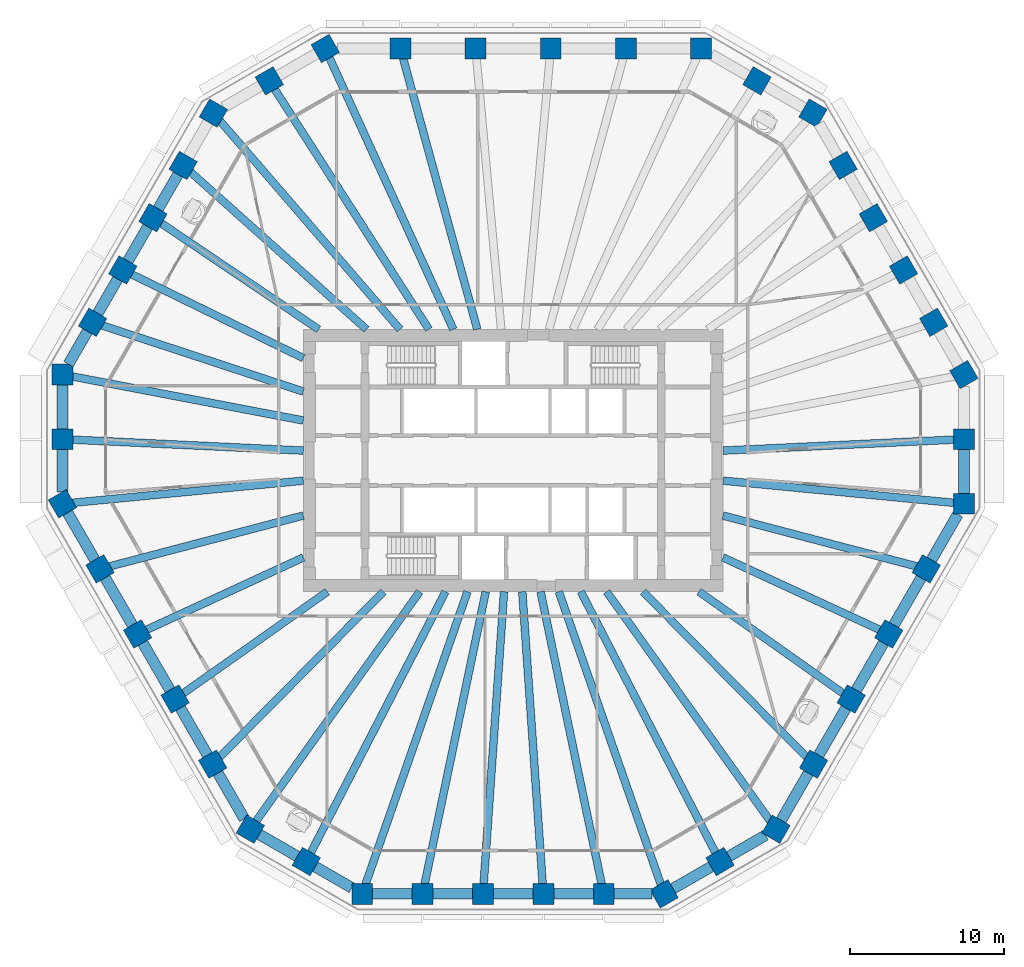
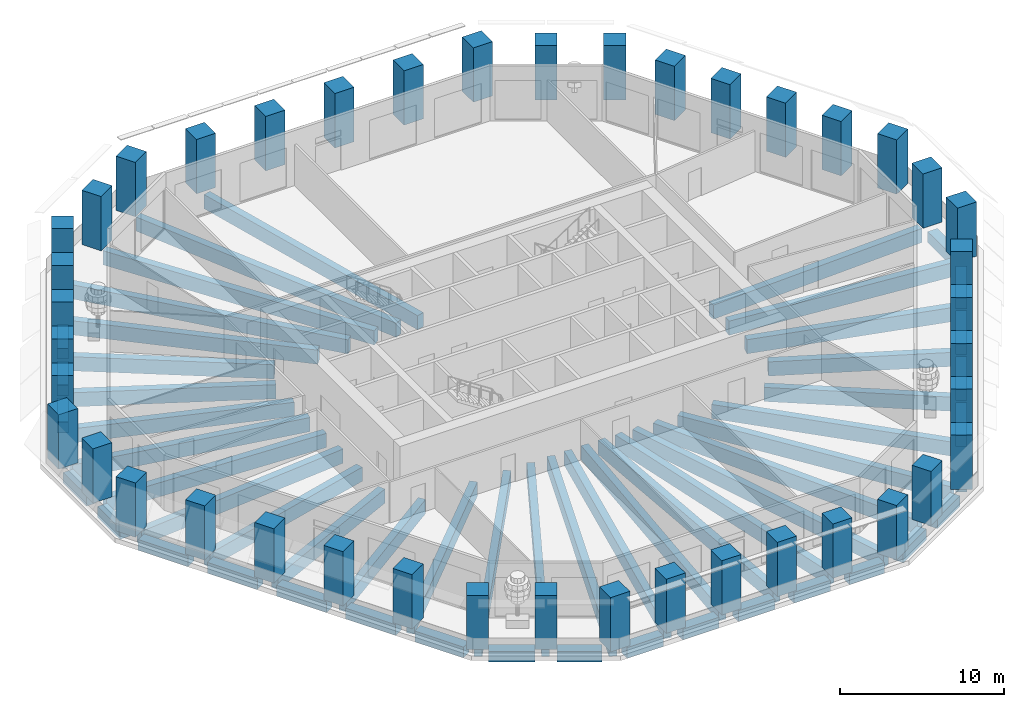
# One storey, part 1 of 12: 57 beams, 42 columns.
"""IFC4 building model written with IfcOpenShell, lengths in metres."""

from ifc_helpers import new_model, si_unit, direction, frame, origin, origin_2d, place, context, subcontext, project, spatial, rectangle, extrude, material, material_profile, profile_set, type_object, element, save


model = new_model("IFC4")

# Units and contexts
model_context = context("Model", 3, precision=1e-05, world=origin(), true_north=direction((0.0, 1.0)))
body_context = subcontext(model_context, "Body", "Model", "MODEL_VIEW")
ifc_project = project(units=[si_unit("LENGTHUNIT", "METRE"), si_unit("AREAUNIT", "SQUARE_METRE"), si_unit("VOLUMEUNIT", "CUBIC_METRE"), si_unit("PLANEANGLEUNIT", "RADIAN"), si_unit("MASSUNIT", "GRAM", prefix="KILO")], contexts=[model_context])

# Site, building, storey
site_placement = place(None, origin())
site = spatial("IfcSite", under=ifc_project, at=site_placement, CompositionType="ELEMENT")
building_placement = place(site_placement, origin())
building = spatial("IfcBuilding", under=site, at=building_placement, Name="Frailejon Research Tower", CompositionType="ELEMENT")
storey_placement = place(building_placement, frame((0.0, 0.0, 130.800048828125)))
storey = spatial("IfcBuildingStorey", under=building, at=storey_placement, Name="L28", CompositionType="ELEMENT", Elevation=130.800048828125)

# Columns
ifc_material_1 = material(Name="Concrete C70/85", Category="concrete")
ifc_material_profile_1 = material_profile(ifc_material_1, rectangle(XDim=1.35009765625, YDim=1.35009765625, at=origin_2d()), Name="Column 1350")
ifc_profile_set_1 = profile_set([ifc_material_profile_1], Name="Concrete C70/85")
column_type = type_object("IfcColumnType", Name="Column 1350", PredefinedType="COLUMN", material=ifc_profile_set_1)
for number, where, z_axis, x_axis, name in (
    (1, (29.211181640625, -2.8046875, 0.0), (0.0, 0.0, 1.0), (0.0, 1.0, 0.0), "Column C01"),
    (2, (29.211181640625, 1.3828125, 0.0), (0.0, 0.0, 1.0), (0.0, 1.0, 0.0), "Column C02"),
    (3, (29.211181640625, 5.5703125, 0.0), (0.0, 0.0, 1.0), (-0.5, 0.866025403784, 0.0), "Column C03"),
    (4, (27.2548828125, 8.958740234375, 0.0), (0.0, 0.0, 1.0), (-0.5, 0.866025403784, 0.0), "Column C04"),
    (5, (25.298583984375, 12.34716796875, 0.0), (0.0, 0.0, 1.0), (-0.5, 0.866025403784, 0.0), "Column C05"),
    (6, (23.34228515625, 15.735595703125, 0.0), (0.0, 0.0, 1.0), (-0.5, 0.866025403784, 0.0), "Column C06"),
    (7, (21.385986328125, 19.1240234375, 0.0), (0.0, 0.0, 1.0), (-0.5, 0.866025403784, 0.0), "Column C07"),
    (8, (19.4296875, 22.512451171875, 0.0), (0.0, 0.0, 1.0), (-0.866025403784, 0.5, 0.0), "Column C08"),
    (9, (15.802978515625, 24.606201171875, 0.0), (0.0, 0.0, 1.0), (-0.866025403784, 0.5, 0.0), "Column C09"),
    (10, (12.176513671875, 26.699951171875, 0.0), (0.0, 0.0, 1.0), (-1.0, 0.0, 0.0), "Column C10"),
    (11, (7.305908203125, 26.699951171875, 0.0), (0.0, 0.0, 1.0), (-1.0, 0.0, 0.0), "Column C11"),
):
    element("IfcColumn", number, at=place(storey_placement, frame(where, z_axis=z_axis, x_axis=x_axis)), inside=storey, type_object=column_type, Name=name, PredefinedType="COLUMN", context=body_context, shape_type="SweptSolid", body=[
        extrude(rectangle(XDim=1.35009765625, YDim=1.35009765625, at=origin_2d()), origin(), (0.0, 0.0, 1.0), 4.0400390625),
    ])
for number, where, z_axis, x_axis, name in (
    (12, (2.435302734375, 26.699951171875, 0.0), (0.0, 0.0, 1.0), (-1.0, 0.0, 0.0), "Column C12"),
    (13, (-2.435302734375, 26.699951171875, 0.0), (0.0, 0.0, 1.0), (-1.0, 0.0, 0.0), "Column C13"),
):
    element("IfcColumn", number, at=place(storey_placement, frame(where, z_axis=z_axis, x_axis=x_axis)), inside=storey, type_object=column_type, Name=name, PredefinedType="COLUMN", context=body_context, shape_type="SweptSolid", body=[
        extrude(rectangle(XDim=1.35009765625, YDim=1.35009765625, at=origin_2d()), origin(), (0.0, 0.0, 1.0), 4.050048828125),
    ])
for number, where, z_axis, x_axis, name in (
    (14, (-7.305908203125, 26.699951171875, 0.0), (0.0, 0.0, 1.0), (-1.0, 0.0, 0.0), "Column C14"),
    (15, (-12.176513671875, 26.699951171875, 0.0), (0.0, 0.0, 1.0), (-0.866025403784, -0.5, 0.0), "Column C15"),
    (16, (-15.802978515625, 24.606201171875, 0.0), (0.0, 0.0, 1.0), (-0.866025403784, -0.5, 0.0), "Column C16"),
    (17, (-19.4296875, 22.512451171875, 0.0), (0.0, 0.0, 1.0), (-0.5, -0.866025403784, 0.0), "Column C17"),
    (18, (-21.385986328125, 19.1240234375, 0.0), (0.0, 0.0, 1.0), (-0.5, -0.866025403784, 0.0), "Column C18"),
    (19, (-23.34228515625, 15.735595703125, 0.0), (0.0, 0.0, 1.0), (-0.5, -0.866025403784, 0.0), "Column C19"),
    (20, (-25.298583984375, 12.34716796875, 0.0), (0.0, 0.0, 1.0), (-0.5, -0.866025403784, 0.0), "Column C20"),
    (21, (-27.2548828125, 8.958740234375, 0.0), (0.0, 0.0, 1.0), (-0.5, -0.866025403784, 0.0), "Column C21"),
    (22, (-29.211181640625, 5.5703125, 0.0), (0.0, 0.0, 1.0), (0.0, -1.0, 0.0), "Column C22"),
    (23, (-29.211181640625, 1.3828125, 0.0), (0.0, 0.0, 1.0), (0.0, -1.0, 0.0), "Column C23"),
    (24, (-29.211181640625, -2.8046875, 0.0), (0.0, 0.0, 1.0), (0.5, -0.866025403784, 0.0), "Column C24"),
    (25, (-26.77587890625, -7.02294921875, 0.0), (0.0, 0.0, 1.0), (0.5, -0.866025403784, 0.0), "Column C25"),
):
    element("IfcColumn", number, at=place(storey_placement, frame(where, z_axis=z_axis, x_axis=x_axis)), inside=storey, type_object=column_type, Name=name, PredefinedType="COLUMN", context=body_context, shape_type="SweptSolid", body=[
        extrude(rectangle(XDim=1.35009765625, YDim=1.35009765625, at=origin_2d()), origin(), (0.0, 0.0, 1.0), 4.0400390625),
    ])
for number, where, z_axis, x_axis, name in (
    (26, (-24.340576171875, -11.240966796875, 0.0), (0.0, 0.0, 1.0), (0.5, -0.866025403784, 0.0), "Column C26"),
    (27, (-21.9052734375, -15.458984375, 0.0), (0.0, 0.0, 1.0), (0.5, -0.866025403784, 0.0), "Column C27"),
):
    element("IfcColumn", number, at=place(storey_placement, frame(where, z_axis=z_axis, x_axis=x_axis)), inside=storey, type_object=column_type, Name=name, PredefinedType="COLUMN", context=body_context, shape_type="SweptSolid", body=[
        extrude(rectangle(XDim=1.35009765625, YDim=1.35009765625, at=origin_2d()), origin(), (0.0, 0.0, 1.0), 4.050048828125),
    ])
for number, where, z_axis, x_axis, name in (
    (28, (-19.469970703125, -19.677001953125, 0.0), (0.0, 0.0, 1.0), (0.5, -0.866025403784, 0.0), "Column C28"),
    (29, (-17.03466796875, -23.895263671875, 0.0), (0.0, 0.0, 1.0), (0.866025403784, -0.5, 0.0), "Column C29"),
    (30, (-13.408203125, -25.989013671875, 0.0), (0.0, 0.0, 1.0), (0.866025403784, -0.5, 0.0), "Column C30"),
    (31, (-9.781494140625, -28.082763671875, 0.0), (0.0, 0.0, 1.0), (1.0, 0.0, 0.0), "Column C31"),
    (32, (-5.868896484375, -28.082763671875, 0.0), (0.0, 0.0, 1.0), (1.0, 0.0, 0.0), "Column C32"),
    (33, (-1.956298828125, -28.082763671875, 0.0), (0.0, 0.0, 1.0), (1.0, 0.0, 0.0), "Column C33"),
    (34, (1.956298828125, -28.082763671875, 0.0), (0.0, 0.0, 1.0), (1.0, 0.0, 0.0), "Column C34"),
    (35, (5.868896484375, -28.082763671875, 0.0), (0.0, 0.0, 1.0), (1.0, 0.0, 0.0), "Column C35"),
    (36, (9.781494140625, -28.082763671875, 0.0), (0.0, 0.0, 1.0), (0.866025403784, 0.5, 0.0), "Column C36"),
    (37, (13.408203125, -25.989013671875, 0.0), (0.0, 0.0, 1.0), (0.866025403784, 0.5, 0.0), "Column C37"),
    (38, (17.03466796875, -23.895263671875, 0.0), (0.0, 0.0, 1.0), (0.5, 0.866025403784, 0.0), "Column C38"),
    (39, (19.469970703125, -19.677001953125, 0.0), (0.0, 0.0, 1.0), (0.5, 0.866025403784, 0.0), "Column C39"),
):
    element("IfcColumn", number, at=place(storey_placement, frame(where, z_axis=z_axis, x_axis=x_axis)), inside=storey, type_object=column_type, Name=name, PredefinedType="COLUMN", context=body_context, shape_type="SweptSolid", body=[
        extrude(rectangle(XDim=1.35009765625, YDim=1.35009765625, at=origin_2d()), origin(), (0.0, 0.0, 1.0), 4.0400390625),
    ])
for number, where, z_axis, x_axis, name in (
    (40, (21.9052734375, -15.458984375, 0.0), (0.0, 0.0, 1.0), (0.5, 0.866025403784, 0.0), "Column C40"),
    (41, (24.340576171875, -11.240966796875, 0.0), (0.0, 0.0, 1.0), (0.5, 0.866025403784, 0.0), "Column C41"),
):
    element("IfcColumn", number, at=place(storey_placement, frame(where, z_axis=z_axis, x_axis=x_axis)), inside=storey, type_object=column_type, Name=name, PredefinedType="COLUMN", context=body_context, shape_type="SweptSolid", body=[
        extrude(rectangle(XDim=1.35009765625, YDim=1.35009765625, at=origin_2d()), origin(), (0.0, 0.0, 1.0), 4.050048828125),
    ])
column_placement = place(storey_placement, frame((26.77587890625, -7.02294921875, 0.0), z_axis=(0.0, 0.0, 1.0), x_axis=(0.5, 0.866025403784, 0.0)))
element("IfcColumn", 42, at=column_placement, inside=storey, type_object=column_type, Name="Column C42", PredefinedType="COLUMN", context=body_context, shape_type="SweptSolid", body=[
    extrude(rectangle(XDim=1.35009765625, YDim=1.35009765625, at=origin_2d()), origin(), (0.0, 0.0, 1.0), 4.0400390625),
])

# Beams
ifc_material_2 = material(Name="Concrete C60/75", Category="concrete")
ifc_material_profile_2 = material_profile(ifc_material_2, rectangle(XDim=0.5, YDim=1.050048828125, at=origin_2d()), Name="Girder 500x1050")
ifc_profile_set_2 = profile_set([ifc_material_profile_2], Name="Concrete C60/75")
beam_type_1 = type_object("IfcBeamType", Name="Girder 500x1050", PredefinedType="BEAM", material=ifc_profile_set_2)
beam_1_placement = place(storey_placement, frame((28.685302734375, -2.75439453125, -0.824951171875), z_axis=(-0.995421682896, 0.095580715736, 0.0), x_axis=(-0.095580715736, -0.995421682896, 0.0)))
element("IfcBeam", 43, at=beam_1_placement, inside=storey, type_object=beam_type_1, Name="Girder 500x1050", PredefinedType="BEAM", context=body_context, shape_type="SweptSolid", body=[
    extrude(rectangle(XDim=0.5, YDim=1.050048828125, at=origin_2d()), origin(), (0.0, 0.0, 1.0), 15.154541015625),
])
beam_2_placement = place(storey_placement, frame((28.685791015625, 1.35791015625, -0.824951171875), z_axis=(-0.998881484069, -0.047284043646, 0.0), x_axis=(0.047284043646, -0.998881484069, 0.0)))
element("IfcBeam", 44, at=beam_2_placement, inside=storey, type_object=beam_type_1, Name="Girder 500x1050", PredefinedType="BEAM", context=body_context, shape_type="SweptSolid", body=[
    extrude(rectangle(XDim=0.5, YDim=1.050048828125, at=origin_2d()), origin(), (0.0, 0.0, 1.0), 15.1025390625),
])
beam_3_placement = place(storey_placement, frame((-7.160888671875, 26.169677734375, -0.824951171875), z_axis=(0.263940506276, -0.964538961964, 0.0), x_axis=(0.964538961964, 0.263940506276, 0.0)))
element("IfcBeam", 45, at=beam_3_placement, inside=storey, type_object=beam_type_1, Name="Girder 500x1050", PredefinedType="BEAM", context=body_context, shape_type="SweptSolid", body=[
    extrude(rectangle(XDim=0.5, YDim=1.050048828125, at=origin_2d()), origin(), (0.0, 0.0, 1.0), 18.3193359375),
])
beam_4_placement = place(storey_placement, frame((-11.95751953125, 26.219482421875, -0.824951171875), z_axis=(0.414940732798, -0.90984844247, 0.0), x_axis=(0.90984844247, 0.414940732798, 0.0)))
element("IfcBeam", 46, at=beam_4_placement, inside=storey, type_object=beam_type_1, Name="Girder 500x1050", PredefinedType="BEAM", context=body_context, shape_type="SweptSolid", body=[
    extrude(rectangle(XDim=0.5, YDim=1.050048828125, at=origin_2d()), origin(), (0.0, 0.0, 1.0), 19.47509765625),
])
beam_5_placement = place(storey_placement, frame((-15.51904296875, 24.163818359375, -0.824951171875), z_axis=(0.540394975615, -0.84141147504, 0.0), x_axis=(0.84141147504, 0.540394975615, 0.0)))
element("IfcBeam", 47, at=beam_5_placement, inside=storey, type_object=beam_type_1, Name="Girder 500x1050", PredefinedType="BEAM", context=body_context, shape_type="SweptSolid", body=[
    extrude(rectangle(XDim=0.5, YDim=1.050048828125, at=origin_2d()), origin(), (0.0, 0.0, 1.0), 18.6162109375),
])
beam_6_placement = place(storey_placement, frame((-19.060546875, 22.084716796875, -0.824951171875), z_axis=(0.653375780133, -0.757033744252, 0.0), x_axis=(0.757033744252, 0.653375780133, 0.0)))
element("IfcBeam", 48, at=beam_6_placement, inside=storey, type_object=beam_type_1, Name="Girder 500x1050", PredefinedType="BEAM", context=body_context, shape_type="SweptSolid", body=[
    extrude(rectangle(XDim=0.5, YDim=1.050048828125, at=origin_2d()), origin(), (0.0, 0.0, 1.0), 17.944580078125),
])
beam_7_placement = place(storey_placement, frame((-20.983642578125, 18.764404296875, -0.824951171875), z_axis=(0.745422911023, -0.666591841926, 0.0), x_axis=(0.666591841926, 0.745422911023, 0.0)))
element("IfcBeam", 49, at=beam_7_placement, inside=storey, type_object=beam_type_1, Name="Girder 500x1050", PredefinedType="BEAM", context=body_context, shape_type="SweptSolid", body=[
    extrude(rectangle(XDim=0.5, YDim=1.050048828125, at=origin_2d()), origin(), (0.0, 0.0, 1.0), 15.3984375),
])
beam_8_placement = place(storey_placement, frame((-22.905517578125, 15.441162109375, -0.824951171875), z_axis=(0.829186990789, -0.558971317964, 0.0), x_axis=(0.558971317964, 0.829186990789, 0.0)))
element("IfcBeam", 50, at=beam_8_placement, inside=storey, type_object=beam_type_1, Name="Girder 500x1050", PredefinedType="BEAM", context=body_context, shape_type="SweptSolid", body=[
    extrude(rectangle(XDim=0.5, YDim=1.050048828125, at=origin_2d()), origin(), (0.0, 0.0, 1.0), 12.417724609375),
])
beam_9_placement = place(storey_placement, frame((-24.8251953125, 12.1162109375, -0.824951171875), z_axis=(0.898678258454, -0.438608467522, 0.0), x_axis=(0.438608467522, 0.898678258454, 0.0)))
element("IfcBeam", 51, at=beam_9_placement, inside=storey, type_object=beam_type_1, Name="Girder 500x1050", PredefinedType="BEAM", context=body_context, shape_type="SweptSolid", body=[
    extrude(rectangle(XDim=0.5, YDim=1.050048828125, at=origin_2d()), origin(), (0.0, 0.0, 1.0), 12.49072265625),
])
beam_10_placement = place(storey_placement, frame((-26.7421875, 8.790283203125, -0.824951171875), z_axis=(0.949989871685, -0.312280712975, 0.0), x_axis=(0.312280712975, 0.949989871685, 0.0)))
element("IfcBeam", 52, at=beam_10_placement, inside=storey, type_object=beam_type_1, Name="Girder 500x1050", PredefinedType="BEAM", context=body_context, shape_type="SweptSolid", body=[
    extrude(rectangle(XDim=0.5, YDim=1.050048828125, at=origin_2d()), origin(), (0.0, 0.0, 1.0), 13.833984375),
])
beam_11_placement = place(storey_placement, frame((-28.683349609375, 5.4697265625, -0.824951171875), z_axis=(0.982299996606, -0.187314486007, 0.0), x_axis=(0.187314486007, 0.982299996606, 0.0)))
element("IfcBeam", 53, at=beam_11_placement, inside=storey, type_object=beam_type_1, Name="Girder 500x1050", PredefinedType="BEAM", context=body_context, shape_type="SweptSolid", body=[
    extrude(rectangle(XDim=0.5, YDim=1.050048828125, at=origin_2d()), origin(), (0.0, 0.0, 1.0), 15.35498046875),
])
beam_12_placement = place(storey_placement, frame((-28.685791015625, 1.35791015625, -0.824951171875), z_axis=(0.998881484069, -0.047284043646, 0.0), x_axis=(0.047284043646, 0.998881484069, 0.0)))
element("IfcBeam", 54, at=beam_12_placement, inside=storey, type_object=beam_type_1, Name="Girder 500x1050", PredefinedType="BEAM", context=body_context, shape_type="SweptSolid", body=[
    extrude(rectangle(XDim=0.5, YDim=1.050048828125, at=origin_2d()), origin(), (0.0, 0.0, 1.0), 15.1025390625),
])
beam_13_placement = place(storey_placement, frame((-28.621826171875, -2.748291015625, -0.824951171875), z_axis=(0.99542173633, 0.095580159246, 0.0), x_axis=(-0.095580159246, 0.99542173633, 0.0)))
element("IfcBeam", 55, at=beam_13_placement, inside=storey, type_object=beam_type_1, Name="Girder 500x1050", PredefinedType="BEAM", context=body_context, shape_type="SweptSolid", body=[
    extrude(rectangle(XDim=0.5, YDim=1.050048828125, at=origin_2d()), origin(), (0.0, 0.0, 1.0), 15.0908203125),
])
beam_14_placement = place(storey_placement, frame((-26.243896484375, -6.88330078125, -0.824951171875), z_axis=(0.967284207877, 0.253695213184, 0.0), x_axis=(-0.253695213184, 0.967284207877, 0.0)))
element("IfcBeam", 56, at=beam_14_placement, inside=storey, type_object=beam_type_1, Name="Girder 500x1050", PredefinedType="BEAM", context=body_context, shape_type="SweptSolid", body=[
    extrude(rectangle(XDim=0.5, YDim=1.050048828125, at=origin_2d()), origin(), (0.0, 0.0, 1.0), 13.071533203125),
])
beam_15_placement = place(storey_placement, frame((-23.861328125, -11.019775390625, -0.824951171875), z_axis=(0.907856308301, 0.419281437079, 0.0), x_axis=(-0.419281437079, 0.907856308301, 0.0)))
element("IfcBeam", 57, at=beam_15_placement, inside=storey, type_object=beam_type_1, Name="Girder 500x1050", PredefinedType="BEAM", context=body_context, shape_type="SweptSolid", body=[
    extrude(rectangle(XDim=0.5, YDim=1.050048828125, at=origin_2d()), origin(), (0.0, 0.0, 1.0), 11.302734375),
])
beam_16_placement = place(storey_placement, frame((-21.47412109375, -15.15478515625, -0.824951171875), z_axis=(0.817027654996, 0.576598483324, 0.0), x_axis=(-0.576598483324, 0.817027654996, 0.0)))
element("IfcBeam", 58, at=beam_16_placement, inside=storey, type_object=beam_type_1, Name="Girder 500x1050", PredefinedType="BEAM", context=body_context, shape_type="SweptSolid", body=[
    extrude(rectangle(XDim=0.5, YDim=1.050048828125, at=origin_2d()), origin(), (0.0, 0.0, 1.0), 11.54150390625),
])
beam_17_placement = place(storey_placement, frame((-19.083251953125, -19.286376953125, -0.824951171875), z_axis=(0.703356143864, 0.710837629061, 0.0), x_axis=(-0.710837629061, 0.703356143864, 0.0)))
element("IfcBeam", 59, at=beam_17_placement, inside=storey, type_object=beam_type_1, Name="Girder 500x1050", PredefinedType="BEAM", context=body_context, shape_type="SweptSolid", body=[
    extrude(rectangle(XDim=0.5, YDim=1.050048828125, at=origin_2d()), origin(), (0.0, 0.0, 1.0), 15.174072265625),
])
beam_18_placement = place(storey_placement, frame((-16.72802734375, -23.465087890625, -0.824951171875), z_axis=(0.580485243586, 0.814270766993, 0.0), x_axis=(-0.814270766993, 0.580485243586, 0.0)))
element("IfcBeam", 60, at=beam_18_placement, inside=storey, type_object=beam_type_1, Name="Girder 500x1050", PredefinedType="BEAM", context=body_context, shape_type="SweptSolid", body=[
    extrude(rectangle(XDim=0.5, YDim=1.050048828125, at=origin_2d()), origin(), (0.0, 0.0, 1.0), 18.37841796875),
])
beam_19_placement = place(storey_placement, frame((-13.1669921875, -25.521728515625, -0.824951171875), z_axis=(0.458491609966, 0.888698736125, 0.0), x_axis=(-0.888698736125, 0.458491609966, 0.0)))
element("IfcBeam", 61, at=beam_19_placement, inside=storey, type_object=beam_type_1, Name="Girder 500x1050", PredefinedType="BEAM", context=body_context, shape_type="SweptSolid", body=[
    extrude(rectangle(XDim=0.5, YDim=1.050048828125, at=origin_2d()), origin(), (0.0, 0.0, 1.0), 19.153564453125),
])
beam_20_placement = place(storey_placement, frame((-9.595703125, -27.549560546875, -0.824951171875), z_axis=(0.328921952058, 0.944357109072, 0.0), x_axis=(-0.944357109072, 0.328921952058, 0.0)))
element("IfcBeam", 62, at=beam_20_placement, inside=storey, type_object=beam_type_1, Name="Girder 500x1050", PredefinedType="BEAM", context=body_context, shape_type="SweptSolid", body=[
    extrude(rectangle(XDim=0.5, YDim=1.050048828125, at=origin_2d()), origin(), (0.0, 0.0, 1.0), 20.171875),
])
beam_21_placement = place(storey_placement, frame((-5.758544921875, -27.5546875, -0.824951171875), z_axis=(0.204567232752, 0.978852515594, 0.0), x_axis=(-0.978852515594, 0.204567232752, 0.0)))
element("IfcBeam", 63, at=beam_21_placement, inside=storey, type_object=beam_type_1, Name="Girder 500x1050", PredefinedType="BEAM", context=body_context, shape_type="SweptSolid", body=[
    extrude(rectangle(XDim=0.5, YDim=1.050048828125, at=origin_2d()), origin(), (0.0, 0.0, 1.0), 19.46630859375),
])
for number, where, z_axis, x_axis, name in (
    (64, (-1.919677734375, -27.557373046875, -0.824951171875), (0.069496814706, 0.99758217343, 0.0), (-0.99758217343, 0.069496814706, 0.0), "Girder 500x1050"),
    (65, (1.919677734375, -27.557373046875, -0.824951171875), (-0.069496814706, 0.99758217343, 0.0), (-0.99758217343, -0.069496814706, 0.0), "Girder 500x1050"),
):
    element("IfcBeam", number, at=place(storey_placement, frame(where, z_axis=z_axis, x_axis=x_axis)), inside=storey, type_object=beam_type_1, Name=name, PredefinedType="BEAM", context=body_context, shape_type="SweptSolid", body=[
        extrude(rectangle(XDim=0.5, YDim=1.050048828125, at=origin_2d()), origin(), (0.0, 0.0, 1.0), 19.103515625),
    ])
beam_22_placement = place(storey_placement, frame((5.758544921875, -27.5546875, -0.824951171875), z_axis=(-0.204567232752, 0.978852515594, 0.0), x_axis=(-0.978852515594, -0.204567232752, 0.0)))
element("IfcBeam", 66, at=beam_22_placement, inside=storey, type_object=beam_type_1, Name="Girder 500x1050", PredefinedType="BEAM", context=body_context, shape_type="SweptSolid", body=[
    extrude(rectangle(XDim=0.5, YDim=1.050048828125, at=origin_2d()), origin(), (0.0, 0.0, 1.0), 19.46630859375),
])
beam_23_placement = place(storey_placement, frame((9.604736328125, -27.575439453125, -0.824951171875), z_axis=(-0.328922813657, 0.944356808974, 0.0), x_axis=(-0.944356808974, -0.328922813657, 0.0)))
element("IfcBeam", 67, at=beam_23_placement, inside=storey, type_object=beam_type_1, Name="Girder 500x1050", PredefinedType="BEAM", context=body_context, shape_type="SweptSolid", body=[
    extrude(rectangle(XDim=0.5, YDim=1.050048828125, at=origin_2d()), origin(), (0.0, 0.0, 1.0), 20.199462890625),
])
beam_24_placement = place(storey_placement, frame((13.1669921875, -25.521728515625, -0.824951171875), z_axis=(-0.458491609966, 0.888698736125, 0.0), x_axis=(-0.888698736125, -0.458491609966, 0.0)))
element("IfcBeam", 68, at=beam_24_placement, inside=storey, type_object=beam_type_1, Name="Girder 500x1050", PredefinedType="BEAM", context=body_context, shape_type="SweptSolid", body=[
    extrude(rectangle(XDim=0.5, YDim=1.050048828125, at=origin_2d()), origin(), (0.0, 0.0, 1.0), 19.153564453125),
])
beam_25_placement = place(storey_placement, frame((16.69091796875, -23.4130859375, -0.824951171875), z_axis=(-0.580483878089, 0.81427174044, 0.0), x_axis=(-0.81427174044, -0.580483878089, 0.0)))
element("IfcBeam", 69, at=beam_25_placement, inside=storey, type_object=beam_type_1, Name="Girder 500x1050", PredefinedType="BEAM", context=body_context, shape_type="SweptSolid", body=[
    extrude(rectangle(XDim=0.5, YDim=1.050048828125, at=origin_2d()), origin(), (0.0, 0.0, 1.0), 18.314697265625),
])
beam_26_placement = place(storey_placement, frame((19.083251953125, -19.286376953125, -0.824951171875), z_axis=(-0.703356143864, 0.710837629061, 0.0), x_axis=(-0.710837629061, -0.703356143864, 0.0)))
element("IfcBeam", 70, at=beam_26_placement, inside=storey, type_object=beam_type_1, Name="Girder 500x1050", PredefinedType="BEAM", context=body_context, shape_type="SweptSolid", body=[
    extrude(rectangle(XDim=0.5, YDim=1.050048828125, at=origin_2d()), origin(), (0.0, 0.0, 1.0), 15.174072265625),
])
beam_27_placement = place(storey_placement, frame((21.47412109375, -15.15478515625, -0.824951171875), z_axis=(-0.817027654996, 0.576598483324, 0.0), x_axis=(-0.576598483324, -0.817027654996, 0.0)))
element("IfcBeam", 71, at=beam_27_placement, inside=storey, type_object=beam_type_1, Name="Girder 500x1050", PredefinedType="BEAM", context=body_context, shape_type="SweptSolid", body=[
    extrude(rectangle(XDim=0.5, YDim=1.050048828125, at=origin_2d()), origin(), (0.0, 0.0, 1.0), 11.54150390625),
])
beam_28_placement = place(storey_placement, frame((23.861328125, -11.019775390625, -0.824951171875), z_axis=(-0.907856308301, 0.419281437079, 0.0), x_axis=(-0.419281437079, -0.907856308301, 0.0)))
element("IfcBeam", 72, at=beam_28_placement, inside=storey, type_object=beam_type_1, Name="Girder 500x1050", PredefinedType="BEAM", context=body_context, shape_type="SweptSolid", body=[
    extrude(rectangle(XDim=0.5, YDim=1.050048828125, at=origin_2d()), origin(), (0.0, 0.0, 1.0), 11.302734375),
])
beam_29_placement = place(storey_placement, frame((26.243896484375, -6.88330078125, -0.824951171875), z_axis=(-0.967284207877, 0.253695213184, 0.0), x_axis=(-0.253695213184, -0.967284207877, 0.0)))
element("IfcBeam", 73, at=beam_29_placement, inside=storey, type_object=beam_type_1, Name="Girder 500x1050", PredefinedType="BEAM", context=body_context, shape_type="SweptSolid", body=[
    extrude(rectangle(XDim=0.5, YDim=1.050048828125, at=origin_2d()), origin(), (0.0, 0.0, 1.0), 13.071533203125),
])
ifc_material_3 = material(Name="Concrete C60/75", Category="concrete")
ifc_material_profile_3 = material_profile(ifc_material_3, rectangle(XDim=0.699951171875, YDim=0.800048828125, at=origin_2d()), Name="Spandrel 700x800")
ifc_profile_set_3 = profile_set([ifc_material_profile_3], Name="Concrete C60/75")
beam_type_2 = type_object("IfcBeamType", Name="Spandrel 700x800", PredefinedType="BEAM", material=ifc_profile_set_3)
beam_30_placement = place(storey_placement, frame((29.211181640625, -2.1298828125, -0.75), z_axis=(0.0, 1.0, 0.0), x_axis=(-1.0, 0.0, 0.0)))
element("IfcBeam", 74, at=beam_30_placement, inside=storey, type_object=beam_type_2, Name="Spandrel 700x800", PredefinedType="BEAM", context=body_context, shape_type="SweptSolid", body=[
    extrude(rectangle(XDim=0.699951171875, YDim=0.800048828125, at=origin_2d()), origin(), (0.0, 0.0, 1.0), 2.837646484375),
])
for number, where, z_axis, x_axis, name in (
    (75, (-21.723388671875, 18.539306640625, -0.75), (-0.50003311468, -0.866006284171, 0.0), (0.866006284171, -0.50003311468, 0.0), "Spandrel 700x800"),
    (76, (-23.6796875, 15.15087890625, -0.75), (-0.50003311468, -0.866006284171, 0.0), (0.866006284171, -0.50003311468, 0.0), "Spandrel 700x800"),
):
    element("IfcBeam", number, at=place(storey_placement, frame(where, z_axis=z_axis, x_axis=x_axis)), inside=storey, type_object=beam_type_2, Name=name, PredefinedType="BEAM", context=body_context, shape_type="SweptSolid", body=[
        extrude(rectangle(XDim=0.699951171875, YDim=0.800048828125, at=origin_2d()), origin(), (0.0, 0.0, 1.0), 2.562255859375),
    ])
beam_31_placement = place(storey_placement, frame((-25.635986328125, 11.7626953125, -0.75), z_axis=(-0.499950606877, -0.866053919039, 0.0), x_axis=(0.866053919039, -0.499950606877, 0.0)))
element("IfcBeam", 77, at=beam_31_placement, inside=storey, type_object=beam_type_2, Name="Spandrel 700x800", PredefinedType="BEAM", context=body_context, shape_type="SweptSolid", body=[
    extrude(rectangle(XDim=0.699951171875, YDim=0.800048828125, at=origin_2d()), origin(), (0.0, 0.0, 1.0), 2.562744140625),
])
beam_32_placement = place(storey_placement, frame((-27.59228515625, 8.3740234375, -0.75), z_axis=(-0.500006183238, -0.866021833861, 0.0), x_axis=(0.866021833861, -0.500006183238, 0.0)))
element("IfcBeam", 78, at=beam_32_placement, inside=storey, type_object=beam_type_2, Name="Spandrel 700x800", PredefinedType="BEAM", context=body_context, shape_type="SweptSolid", body=[
    extrude(rectangle(XDim=0.699951171875, YDim=0.800048828125, at=origin_2d()), origin(), (0.0, 0.0, 1.0), 2.4580078125),
])
beam_33_placement = place(storey_placement, frame((-29.211181640625, 4.895263671875, -0.75), z_axis=(0.0, -1.0, 0.0), x_axis=(1.0, 0.0, 0.0)))
element("IfcBeam", 79, at=beam_33_placement, inside=storey, type_object=beam_type_2, Name="Spandrel 700x800", PredefinedType="BEAM", context=body_context, shape_type="SweptSolid", body=[
    extrude(rectangle(XDim=0.699951171875, YDim=0.800048828125, at=origin_2d()), origin(), (0.0, 0.0, 1.0), 2.83740234375),
])
beam_34_placement = place(storey_placement, frame((-29.211181640625, 0.707763671875, -0.75), z_axis=(0.0, -1.0, 0.0), x_axis=(1.0, 0.0, 0.0)))
element("IfcBeam", 80, at=beam_34_placement, inside=storey, type_object=beam_type_2, Name="Spandrel 700x800", PredefinedType="BEAM", context=body_context, shape_type="SweptSolid", body=[
    extrude(rectangle(XDim=0.699951171875, YDim=0.800048828125, at=origin_2d()), origin(), (0.0, 0.0, 1.0), 2.733154296875),
])
beam_35_placement = place(storey_placement, frame((-28.87353515625, -3.389404296875, -0.75), z_axis=(0.500002592159, -0.866023907196, 0.0), x_axis=(0.866023907196, 0.500002592159, 0.0)))
element("IfcBeam", 81, at=beam_35_placement, inside=storey, type_object=beam_type_2, Name="Spandrel 700x800", PredefinedType="BEAM", context=body_context, shape_type="SweptSolid", body=[
    extrude(rectangle(XDim=0.699951171875, YDim=0.800048828125, at=origin_2d()), origin(), (0.0, 0.0, 1.0), 3.5205078125),
])
beam_36_placement = place(storey_placement, frame((-26.438232421875, -7.607421875, -0.75), z_axis=(0.499972564782, -0.866041242935, 0.0), x_axis=(0.866041242935, 0.499972564782, 0.0)))
element("IfcBeam", 82, at=beam_36_placement, inside=storey, type_object=beam_type_2, Name="Spandrel 700x800", PredefinedType="BEAM", context=body_context, shape_type="SweptSolid", body=[
    extrude(rectangle(XDim=0.699951171875, YDim=0.800048828125, at=origin_2d()), origin(), (0.0, 0.0, 1.0), 3.520751953125),
])
for number, where, z_axis, x_axis, name in (
    (83, (-24.0029296875, -11.82568359375, -0.75), (0.500002592159, -0.866023907196, 0.0), (0.866023907196, 0.500002592159, 0.0), "Spandrel 700x800"),
    (84, (-21.567626953125, -16.043701171875, -0.75), (0.500002592159, -0.866023907196, 0.0), (0.866023907196, 0.500002592159, 0.0), "Spandrel 700x800"),
):
    element("IfcBeam", number, at=place(storey_placement, frame(where, z_axis=z_axis, x_axis=x_axis)), inside=storey, type_object=beam_type_2, Name=name, PredefinedType="BEAM", context=body_context, shape_type="SweptSolid", body=[
        extrude(rectangle(XDim=0.699951171875, YDim=0.800048828125, at=origin_2d()), origin(), (0.0, 0.0, 1.0), 3.5205078125),
    ])
beam_37_placement = place(storey_placement, frame((-19.13232421875, -20.26171875, -0.75), z_axis=(0.499982281718, -0.866035633198, 0.0), x_axis=(0.866035633198, 0.499982281718, 0.0)))
element("IfcBeam", 85, at=beam_37_placement, inside=storey, type_object=beam_type_2, Name="Spandrel 700x800", PredefinedType="BEAM", context=body_context, shape_type="SweptSolid", body=[
    extrude(rectangle(XDim=0.699951171875, YDim=0.800048828125, at=origin_2d()), origin(), (0.0, 0.0, 1.0), 3.416015625),
])
beam_38_placement = place(storey_placement, frame((-16.449951171875, -24.232666015625, -0.75), z_axis=(0.865989280058, -0.500062562911, 0.0), x_axis=(0.500062562911, 0.865989280058, 0.0)))
element("IfcBeam", 86, at=beam_38_placement, inside=storey, type_object=beam_type_2, Name="Spandrel 700x800", PredefinedType="BEAM", context=body_context, shape_type="SweptSolid", body=[
    extrude(rectangle(XDim=0.699951171875, YDim=0.800048828125, at=origin_2d()), origin(), (0.0, 0.0, 1.0), 2.837646484375),
])
beam_39_placement = place(storey_placement, frame((-12.823486328125, -26.326416015625, -0.75), z_axis=(0.866002615699, -0.500039468044, 0.0), x_axis=(0.500039468044, 0.866002615699, 0.0)))
element("IfcBeam", 87, at=beam_39_placement, inside=storey, type_object=beam_type_2, Name="Spandrel 700x800", PredefinedType="BEAM", context=body_context, shape_type="SweptSolid", body=[
    extrude(rectangle(XDim=0.699951171875, YDim=0.800048828125, at=origin_2d()), origin(), (0.0, 0.0, 1.0), 2.733154296875),
])
for number, where, z_axis, x_axis, name in (
    (88, (-9.1064453125, -28.082763671875, -0.75), (1.0, 0.0, 0.0), (0.0, 1.0, 0.0), "Spandrel 700x800"),
    (89, (-5.19384765625, -28.082763671875, -0.75), (1.0, 0.0, 0.0), (0.0, 1.0, 0.0), "Spandrel 700x800"),
    (90, (-1.28125, -28.082763671875, -0.75), (1.0, 0.0, 0.0), (0.0, 1.0, 0.0), "Spandrel 700x800"),
    (91, (2.63134765625, -28.082763671875, -0.75), (1.0, 0.0, 0.0), (0.0, 1.0, 0.0), "Spandrel 700x800"),
):
    element("IfcBeam", number, at=place(storey_placement, frame(where, z_axis=z_axis, x_axis=x_axis)), inside=storey, type_object=beam_type_2, Name=name, PredefinedType="BEAM", context=body_context, shape_type="SweptSolid", body=[
        extrude(rectangle(XDim=0.699951171875, YDim=0.800048828125, at=origin_2d()), origin(), (0.0, 0.0, 1.0), 2.5625),
    ])
beam_40_placement = place(storey_placement, frame((6.5439453125, -28.082763671875, -0.75), z_axis=(1.0, 0.0, 0.0), x_axis=(0.0, 1.0, 0.0)))
element("IfcBeam", 92, at=beam_40_placement, inside=storey, type_object=beam_type_2, Name="Spandrel 700x800", PredefinedType="BEAM", context=body_context, shape_type="SweptSolid", body=[
    extrude(rectangle(XDim=0.699951171875, YDim=0.800048828125, at=origin_2d()), origin(), (0.0, 0.0, 1.0), 2.458251953125),
])
beam_41_placement = place(storey_placement, frame((10.3662109375, -27.745361328125, -0.75), z_axis=(0.865989280058, 0.500062562911, 0.0), x_axis=(-0.500062562911, 0.865989280058, 0.0)))
element("IfcBeam", 93, at=beam_41_placement, inside=storey, type_object=beam_type_2, Name="Spandrel 700x800", PredefinedType="BEAM", context=body_context, shape_type="SweptSolid", body=[
    extrude(rectangle(XDim=0.699951171875, YDim=0.800048828125, at=origin_2d()), origin(), (0.0, 0.0, 1.0), 2.837646484375),
])
beam_42_placement = place(storey_placement, frame((13.99267578125, -25.651611328125, -0.75), z_axis=(0.866002615699, 0.500039468044, 0.0), x_axis=(-0.500039468044, 0.866002615699, 0.0)))
element("IfcBeam", 94, at=beam_42_placement, inside=storey, type_object=beam_type_2, Name="Spandrel 700x800", PredefinedType="BEAM", context=body_context, shape_type="SweptSolid", body=[
    extrude(rectangle(XDim=0.699951171875, YDim=0.800048828125, at=origin_2d()), origin(), (0.0, 0.0, 1.0), 2.733154296875),
])
for number, where, z_axis, x_axis, name in (
    (95, (17.3720703125, -23.310546875, -0.75), (0.500002592159, 0.866023907196, 0.0), (-0.866023907196, 0.500002592159, 0.0), "Spandrel 700x800"),
    (96, (19.807373046875, -19.092529296875, -0.75), (0.500002592159, 0.866023907196, 0.0), (-0.866023907196, 0.500002592159, 0.0), "Spandrel 700x800"),
    (97, (22.24267578125, -14.87451171875, -0.75), (0.500002592159, 0.866023907196, 0.0), (-0.866023907196, 0.500002592159, 0.0), "Spandrel 700x800"),
):
    element("IfcBeam", number, at=place(storey_placement, frame(where, z_axis=z_axis, x_axis=x_axis)), inside=storey, type_object=beam_type_2, Name=name, PredefinedType="BEAM", context=body_context, shape_type="SweptSolid", body=[
        extrude(rectangle(XDim=0.699951171875, YDim=0.800048828125, at=origin_2d()), origin(), (0.0, 0.0, 1.0), 3.5205078125),
    ])
beam_43_placement = place(storey_placement, frame((24.677978515625, -10.656494140625, -0.75), z_axis=(0.499972564782, 0.866041242935, 0.0), x_axis=(-0.866041242935, 0.499972564782, 0.0)))
element("IfcBeam", 98, at=beam_43_placement, inside=storey, type_object=beam_type_2, Name="Spandrel 700x800", PredefinedType="BEAM", context=body_context, shape_type="SweptSolid", body=[
    extrude(rectangle(XDim=0.699951171875, YDim=0.800048828125, at=origin_2d()), origin(), (0.0, 0.0, 1.0), 3.520751953125),
])
beam_44_placement = place(storey_placement, frame((27.11328125, -6.438232421875, -0.75), z_axis=(0.499982281718, 0.866035633198, 0.0), x_axis=(-0.866035633198, 0.499982281718, 0.0)))
element("IfcBeam", 99, at=beam_44_placement, inside=storey, type_object=beam_type_2, Name="Spandrel 700x800", PredefinedType="BEAM", context=body_context, shape_type="SweptSolid", body=[
    extrude(rectangle(XDim=0.699951171875, YDim=0.800048828125, at=origin_2d()), origin(), (0.0, 0.0, 1.0), 3.416015625),
])

save(model, "model.ifc")
